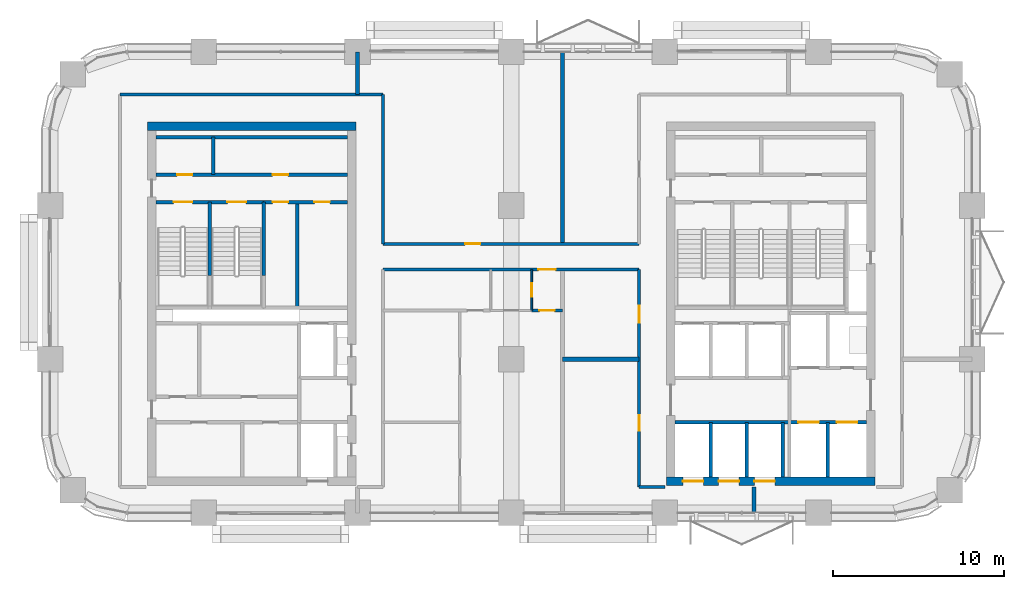
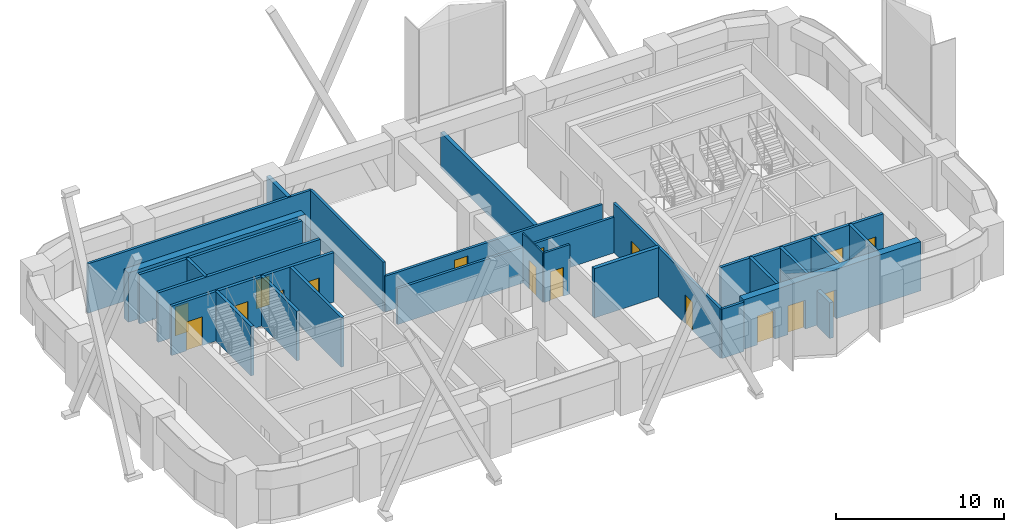
# One storey, part 10 of 14: 27 walls, 17 doors, 17 openings.
"""IFC4 building model written with IfcOpenShell, lengths in metres."""

from ifc_helpers import new_model, si_unit, direction, frame, frame_2d, origin, place, context, subcontext, project, spatial, rectangle, extrude, material, layer, layer_set, type_object, element, fill, save


model = new_model("IFC4")

# Units and contexts
model_context = context("Model", 3, precision=1e-05, world=origin(), true_north=direction((0.0, 1.0)))
body_context = subcontext(model_context, "Body", "Model", "MODEL_VIEW")
ifc_project = project(units=[si_unit("LENGTHUNIT", "METRE"), si_unit("AREAUNIT", "SQUARE_METRE"), si_unit("VOLUMEUNIT", "CUBIC_METRE"), si_unit("PLANEANGLEUNIT", "RADIAN"), si_unit("MASSUNIT", "GRAM", prefix="KILO")], contexts=[model_context])

# Site, building, storey
site_placement = place(None, origin())
site = spatial("IfcSite", under=ifc_project, at=site_placement, CompositionType="ELEMENT")
building_placement = place(site_placement, origin())
building = spatial("IfcBuilding", under=site, at=building_placement, Name="Tessera Arch", CompositionType="ELEMENT")
storey_placement = place(building_placement, frame((0.0, 0.0, 150.5)))
storey = spatial("IfcBuildingStorey", under=building, at=storey_placement, Name="L35", CompositionType="ELEMENT", Elevation=150.5)

# Walls
ifc_material_1 = material(Name="Gypsum board on steel stud", Category="steel")
ifc_layer_1 = layer(ifc_material_1, 0.125)
ifc_layer_set_1 = layer_set([ifc_layer_1], Name="Core partition 125 EI 60")
wall_type_1 = type_object("IfcWallType", Name="Core partition 125 EI 60", PredefinedType="PARTITIONING", material=ifc_layer_set_1)
wall_1_placement = place(storey_placement, frame((9.56005859375, 46.800048828125, 0.0), z_axis=(0.0, 0.0, 1.0), x_axis=(0.0, 1.0, 0.0)))
element("IfcWall", 1, at=wall_1_placement, inside=storey, type_object=wall_type_1, Name="L35 C2 partition wall 4", PredefinedType="PARTITIONING", context=body_context, shape_type="SweptSolid", body=[
    extrude(rectangle(XDim=2.199951171875, YDim=0.199951171875, at=frame_2d((1.10009765625, 0.0))), origin(), (0.0, 0.0, 1.0), 3.60009765625),
])
wall_2_placement = place(storey_placement, frame((14.4599609375, 39.0, 0.0), z_axis=(0.0, 0.0, 1.0), x_axis=(0.0, 1.0, 0.0)))
element("IfcWall", 2, at=wall_2_placement, inside=storey, type_object=wall_type_1, Name="L35 C2 partition wall 8", PredefinedType="PARTITIONING", context=body_context, shape_type="SweptSolid", body=[
    extrude(rectangle(XDim=6.199951171875, YDim=0.199951171875, at=frame_2d((3.10009765625, 0.0))), origin(), (0.0, 0.0, 1.0), 3.60009765625),
])

# Wall, openings, doors
wall_3_placement = place(storey_placement, frame((12.5, 45.199951171875, 0.0), z_axis=(0.0, 0.0, 1.0), x_axis=(1.0, 0.0, 0.0)))
wall_3 = element("IfcWall", 3, at=wall_3_placement, inside=storey, type_object=wall_type_1, Name="L35 C2 partition wall 23", PredefinedType="PARTITIONING", context=body_context, shape_type="SweptSolid", body=[
    extrude(rectangle(XDim=4.89990234375, YDim=0.199951171875, at=frame_2d((2.449951171875, 0.0))), origin(), (0.0, 0.0, 1.0), 3.60009765625),
])
opening_1_placement = place(wall_3_placement, frame((0.530029296875, 0.0, 0.0)))
opening_1 = element("IfcOpeningElement", 4, at=opening_1_placement, cuts=wall_3, Name="Opening L35-C31", PredefinedType="OPENING", context=body_context, shape_type="SweptSolid", body=[
    extrude(rectangle(XDim=0.89990234375, YDim=2.10009765625, at=frame_2d((0.449951171875, 1.050048828125))), frame((0.0, 0.10986328125, 0.0), z_axis=(0.0, -1.0, 0.0), x_axis=(1.0, 0.0, 0.0)), (0.0, 0.0, 1.0), 0.219970703125),
])
opening_2_placement = place(wall_3_placement, frame((2.97998046875, 0.0, 0.0)))
opening_2 = element("IfcOpeningElement", 5, at=opening_2_placement, cuts=wall_3, Name="Opening L35-C32", PredefinedType="OPENING", context=body_context, shape_type="SweptSolid", body=[
    extrude(rectangle(XDim=0.89990234375, YDim=2.10009765625, at=frame_2d((0.449951171875, 1.050048828125))), frame((0.0, 0.10986328125, 0.0), z_axis=(0.0, -1.0, 0.0), x_axis=(1.0, 0.0, 0.0)), (0.0, 0.0, 1.0), 0.219970703125),
])
ifc_material_2 = material(Name="Steel door leaf", Category="steel")
door_type_1 = type_object("IfcDoorType", Name="Store door FD30S 900 x 2100", OperationType="SINGLE_SWING_LEFT", PredefinedType="DOOR", material=ifc_material_2)
door_1_placement = place(opening_1_placement, origin())
door_1 = element("IfcDoor", 6, at=door_1_placement, inside=storey, type_object=door_type_1, Name="L35 C2 door 12 C31 type D09", OperationType="SINGLE_SWING_LEFT", OverallHeight=2.10009765625, OverallWidth=0.89990234375, PredefinedType="DOOR", context=body_context, shape_type="SweptSolid", body=[
    extrude(rectangle(XDim=0.89990234375, YDim=2.10009765625, at=frame_2d((0.449951171875, 1.050048828125))), frame((0.0, 0.02490234375, 0.0), z_axis=(0.0, -1.0, 0.0), x_axis=(1.0, 0.0, 0.0)), (0.0, 0.0, 1.0), 0.050048828125),
])
fill(opening_1, door_1)
door_2_placement = place(opening_2_placement, origin())
door_2 = element("IfcDoor", 7, at=door_2_placement, inside=storey, type_object=door_type_1, Name="L35 C2 door 13 C32 type D09", OperationType="SINGLE_SWING_RIGHT", OverallHeight=2.10009765625, OverallWidth=0.89990234375, PredefinedType="DOOR", context=body_context, shape_type="SweptSolid", body=[
    extrude(rectangle(XDim=0.89990234375, YDim=2.10009765625, at=frame_2d((0.449951171875, 1.050048828125))), frame((0.0, 0.02490234375, 0.0), z_axis=(0.0, -1.0, 0.0), x_axis=(1.0, 0.0, 0.0)), (0.0, 0.0, 1.0), 0.050048828125),
])
fill(opening_2, door_2)

wall_4_placement = place(storey_placement, frame((6.199951171875, 46.800048828125, 0.0), z_axis=(0.0, 0.0, 1.0), x_axis=(1.0, 0.0, 0.0)))
wall_4 = element("IfcWall", 8, at=wall_4_placement, inside=storey, type_object=wall_type_1, Name="L35 C2 partition wall 25", PredefinedType="PARTITIONING", context=body_context, shape_type="SweptSolid", body=[
    extrude(rectangle(XDim=11.199951171875, YDim=0.199951171875, at=frame_2d((5.60009765625, 0.0))), origin(), (0.0, 0.0, 1.0), 3.60009765625),
])
opening_3_placement = place(wall_4_placement, frame((1.22998046875, 0.0, 0.0)))
opening_3 = element("IfcOpeningElement", 9, at=opening_3_placement, cuts=wall_4, Name="Opening L35-C29", PredefinedType="OPENING", context=body_context, shape_type="SweptSolid", body=[
    extrude(rectangle(XDim=0.89990234375, YDim=2.10009765625, at=frame_2d((0.449951171875, 1.050048828125))), frame((0.0, 0.10986328125, 0.0), z_axis=(0.0, -1.0, 0.0), x_axis=(1.0, 0.0, 0.0)), (0.0, 0.0, 1.0), 0.219970703125),
])
opening_4_placement = place(wall_4_placement, frame((6.830078125, 0.0, 0.0)))
opening_4 = element("IfcOpeningElement", 10, at=opening_4_placement, cuts=wall_4, Name="Opening L35-C30", PredefinedType="OPENING", context=body_context, shape_type="SweptSolid", body=[
    extrude(rectangle(XDim=0.89990234375, YDim=2.10009765625, at=frame_2d((0.449951171875, 1.050048828125))), frame((0.0, 0.10986328125, 0.0), z_axis=(0.0, -1.0, 0.0), x_axis=(1.0, 0.0, 0.0)), (0.0, 0.0, 1.0), 0.219970703125),
])
door_3_placement = place(opening_3_placement, origin())
door_3 = element("IfcDoor", 11, at=door_3_placement, inside=storey, type_object=door_type_1, Name="L35 C2 door 10 C29 type D09", OperationType="SINGLE_SWING_LEFT", OverallHeight=2.10009765625, OverallWidth=0.89990234375, PredefinedType="DOOR", context=body_context, shape_type="SweptSolid", body=[
    extrude(rectangle(XDim=0.89990234375, YDim=2.10009765625, at=frame_2d((0.449951171875, 1.050048828125))), frame((0.0, 0.02490234375, 0.0), z_axis=(0.0, -1.0, 0.0), x_axis=(1.0, 0.0, 0.0)), (0.0, 0.0, 1.0), 0.050048828125),
])
fill(opening_3, door_3)
door_4_placement = place(opening_4_placement, origin())
door_4 = element("IfcDoor", 12, at=door_4_placement, inside=storey, type_object=door_type_1, Name="L35 C2 door 11 C30 type D09", OperationType="SINGLE_SWING_RIGHT", OverallHeight=2.10009765625, OverallWidth=0.89990234375, PredefinedType="DOOR", context=body_context, shape_type="SweptSolid", body=[
    extrude(rectangle(XDim=0.89990234375, YDim=2.10009765625, at=frame_2d((0.449951171875, 1.050048828125))), frame((0.0, 0.02490234375, 0.0), z_axis=(0.0, -1.0, 0.0), x_axis=(1.0, 0.0, 0.0)), (0.0, 0.0, 1.0), 0.050048828125),
])
fill(opening_4, door_4)

# Wall
wall_5_placement = place(storey_placement, frame((6.199951171875, 49.0, 0.0), z_axis=(0.0, 0.0, 1.0), x_axis=(1.0, 0.0, 0.0)))
element("IfcWall", 13, at=wall_5_placement, inside=storey, type_object=wall_type_1, Name="L35 C2 partition wall 26", PredefinedType="PARTITIONING", context=body_context, shape_type="SweptSolid", body=[
    extrude(rectangle(XDim=11.199951171875, YDim=0.199951171875, at=frame_2d((5.60009765625, 0.0))), origin(), (0.0, 0.0, 1.0), 3.60009765625),
])

# Wall, openings, doors
ifc_material_3 = material(Name="Concrete C60/75", Category="concrete")
ifc_layer_2 = layer(ifc_material_3, 0.5)
ifc_layer_set_2 = layer_set([ifc_layer_2], Name="Core shell wall 500 C60-75")
wall_type_2 = type_object("IfcWallType", Name="Core shell wall 500 C60-75", PredefinedType="SHEAR", material=ifc_layer_set_2)
wall_6_placement = place(storey_placement, frame((36.10009765625, 28.85009765625, 0.0), z_axis=(0.0, 0.0, 1.0), x_axis=(1.0, 0.0, 0.0)))
wall_6 = element("IfcWall", 14, at=wall_6_placement, inside=storey, type_object=wall_type_2, Name="L35 C1 core wall S", PredefinedType="SHEAR", context=body_context, shape_type="SweptSolid", body=[
    extrude(rectangle(XDim=12.199951171875, YDim=0.5, at=frame_2d((6.10009765625, 0.0))), origin(), (0.0, 0.0, 1.0), 3.60009765625),
])
opening_5_placement = place(wall_6_placement, frame((0.949951171875, 0.0, 0.0)))
opening_5 = element("IfcOpeningElement", 15, at=opening_5_placement, cuts=wall_6, Name="Opening L35-C01", PredefinedType="OPENING", context=body_context, shape_type="SweptSolid", body=[
    extrude(rectangle(XDim=1.199951171875, YDim=2.10009765625, at=frame_2d((0.60009765625, 1.050048828125))), frame((0.0, 0.260009765625, 0.0), z_axis=(0.0, -1.0, 0.0), x_axis=(1.0, 0.0, 0.0)), (0.0, 0.0, 1.0), 0.52001953125),
])
opening_6_placement = place(wall_6_placement, frame((3.050048828125, 0.0, 0.0)))
opening_6 = element("IfcOpeningElement", 16, at=opening_6_placement, cuts=wall_6, Name="Opening L35-C03", PredefinedType="OPENING", context=body_context, shape_type="SweptSolid", body=[
    extrude(rectangle(XDim=1.199951171875, YDim=2.10009765625, at=frame_2d((0.60009765625, 1.050048828125))), frame((0.0, 0.260009765625, 0.0), z_axis=(0.0, -1.0, 0.0), x_axis=(1.0, 0.0, 0.0)), (0.0, 0.0, 1.0), 0.52001953125),
])
opening_7_placement = place(wall_6_placement, frame((5.14990234375, 0.0, 0.0)))
opening_7 = element("IfcOpeningElement", 17, at=opening_7_placement, cuts=wall_6, Name="Opening L35-C05", PredefinedType="OPENING", context=body_context, shape_type="SweptSolid", body=[
    extrude(rectangle(XDim=1.199951171875, YDim=2.10009765625, at=frame_2d((0.60009765625, 1.050048828125))), frame((0.0, 0.260009765625, 0.0), z_axis=(0.0, -1.0, 0.0), x_axis=(1.0, 0.0, 0.0)), (0.0, 0.0, 1.0), 0.52001953125),
])
ifc_material_4 = material(Name="Stainless steel AISI 304", Category="steel")
door_type_2 = type_object("IfcDoorType", Name="Sliding landing door 1200 x 2100", OperationType="SLIDING_TO_LEFT", PredefinedType="DOOR", material=ifc_material_4)
door_5_placement = place(opening_5_placement, origin())
door_5 = element("IfcDoor", 18, at=door_5_placement, inside=storey, type_object=door_type_2, Name="L35 HR1 lift landing door C01 type LD", OperationType="SLIDING_TO_LEFT", OverallHeight=2.10009765625, OverallWidth=1.199951171875, PredefinedType="DOOR", context=body_context, shape_type="SweptSolid", body=[
    extrude(rectangle(XDim=1.199951171875, YDim=2.10009765625, at=frame_2d((0.60009765625, 1.050048828125))), frame((0.0, 0.02490234375, 0.0), z_axis=(0.0, -1.0, 0.0), x_axis=(1.0, 0.0, 0.0)), (0.0, 0.0, 1.0), 0.050048828125),
])
fill(opening_5, door_5)
door_6_placement = place(opening_6_placement, origin())
door_6 = element("IfcDoor", 19, at=door_6_placement, inside=storey, type_object=door_type_2, Name="L35 HR2 lift landing door C03 type LD", OperationType="SLIDING_TO_LEFT", OverallHeight=2.10009765625, OverallWidth=1.199951171875, PredefinedType="DOOR", context=body_context, shape_type="SweptSolid", body=[
    extrude(rectangle(XDim=1.199951171875, YDim=2.10009765625, at=frame_2d((0.60009765625, 1.050048828125))), frame((0.0, 0.02490234375, 0.0), z_axis=(0.0, -1.0, 0.0), x_axis=(1.0, 0.0, 0.0)), (0.0, 0.0, 1.0), 0.050048828125),
])
fill(opening_6, door_6)
door_7_placement = place(opening_7_placement, origin())
door_7 = element("IfcDoor", 20, at=door_7_placement, inside=storey, type_object=door_type_2, Name="L35 HR3 lift landing door C05 type LD", OperationType="SLIDING_TO_LEFT", OverallHeight=2.10009765625, OverallWidth=1.199951171875, PredefinedType="DOOR", context=body_context, shape_type="SweptSolid", body=[
    extrude(rectangle(XDim=1.199951171875, YDim=2.10009765625, at=frame_2d((0.60009765625, 1.050048828125))), frame((0.0, 0.02490234375, 0.0), z_axis=(0.0, -1.0, 0.0), x_axis=(1.0, 0.0, 0.0)), (0.0, 0.0, 1.0), 0.050048828125),
])
fill(opening_7, door_7)

# Walls
wall_7_placement = place(storey_placement, frame((5.699951171875, 49.64990234375, 0.0), z_axis=(0.0, 0.0, 1.0), x_axis=(1.0, 0.0, 0.0)))
element("IfcWall", 21, at=wall_7_placement, inside=storey, type_object=wall_type_2, Name="L35 C2 core wall N", PredefinedType="SHEAR", context=body_context, shape_type="SweptSolid", body=[
    extrude(rectangle(XDim=12.199951171875, YDim=0.5, at=frame_2d((6.10009765625, 0.0))), origin(), (0.0, 0.0, 1.0), 3.60009765625),
])
ifc_material_5 = material(Name="Gypsum board on deep steel stud with mineral wool", Category="steel")
ifc_layer_3 = layer(ifc_material_5, 0.175048828125)
ifc_layer_set_3 = layer_set([ifc_layer_3], Name="Corridor wall 175 EI 60")
wall_type_3 = type_object("IfcWallType", Name="Corridor wall 175 EI 60", PredefinedType="PARTITIONING", material=ifc_layer_set_3)
wall_8_placement = place(storey_placement, frame((34.5, 28.5, 0.0), z_axis=(0.0, 0.0, 1.0), x_axis=(1.0, 0.0, 0.0)))
element("IfcWall", 22, at=wall_8_placement, inside=storey, type_object=wall_type_3, Name="L35 partition 3", PredefinedType="PARTITIONING", context=body_context, shape_type="SweptSolid", body=[
    extrude(rectangle(XDim=1.5, YDim=0.175048828125, at=frame_2d((0.75, 0.0))), origin(), (0.0, 0.0, 1.0), 3.60009765625),
])

# Wall, opening, door
wall_9_placement = place(storey_placement, frame((19.5, 41.25, 0.0), z_axis=(0.0, 0.0, 1.0), x_axis=(1.0, 0.0, 0.0)))
wall_9 = element("IfcWall", 23, at=wall_9_placement, inside=storey, type_object=wall_type_3, Name="L35 partition 5", PredefinedType="PARTITIONING", context=body_context, shape_type="SweptSolid", body=[
    extrude(rectangle(XDim=15.0, YDim=0.175048828125, at=frame_2d((7.5, 0.0))), origin(), (0.0, 0.0, 1.0), 2.60009765625),
])
opening_8_placement = place(wall_9_placement, frame((9.10009765625, 0.0, 0.0)))
opening_8 = element("IfcOpeningElement", 24, at=opening_8_placement, cuts=wall_9, Name="Opening L35-D003", PredefinedType="OPENING", context=body_context, shape_type="SweptSolid", body=[
    extrude(rectangle(XDim=1.0, YDim=2.10009765625, at=frame_2d((0.5, 1.050048828125))), frame((0.0, 0.097412109375, 0.0), z_axis=(0.0, -1.0, 0.0), x_axis=(1.0, 0.0, 0.0)), (0.0, 0.0, 1.0), 0.195068359375),
])
ifc_material_6 = material(Name="Fire-rated door leaf")
door_type_3 = type_object("IfcDoorType", Name="Entrance door FD30S 1000 x 2100", OperationType="SINGLE_SWING_LEFT", PredefinedType="DOOR", material=ifc_material_6)
door_8_placement = place(opening_8_placement, origin())
door_8 = element("IfcDoor", 25, at=door_8_placement, inside=storey, type_object=door_type_3, Name="L35 door D003 type D03", OperationType="SINGLE_SWING_RIGHT", OverallHeight=2.10009765625, OverallWidth=1.0, PredefinedType="DOOR", context=body_context, shape_type="SweptSolid", body=[
    extrude(rectangle(XDim=1.0, YDim=2.10009765625, at=frame_2d((0.5, 1.050048828125))), frame((0.0, 0.02490234375, 0.0), z_axis=(0.0, -1.0, 0.0), x_axis=(1.0, 0.0, 0.0)), (0.0, 0.0, 1.0), 0.050048828125),
])
fill(opening_8, door_8)

wall_10_placement = place(storey_placement, frame((19.5, 42.75, 0.0), z_axis=(0.0, 0.0, 1.0), x_axis=(1.0, 0.0, 0.0)))
wall_10 = element("IfcWall", 26, at=wall_10_placement, inside=storey, type_object=wall_type_3, Name="L35 partition 6", PredefinedType="PARTITIONING", context=body_context, shape_type="SweptSolid", body=[
    extrude(rectangle(XDim=15.0, YDim=0.175048828125, at=frame_2d((7.5, 0.0))), origin(), (0.0, 0.0, 1.0), 2.60009765625),
])
opening_9_placement = place(wall_10_placement, frame((4.800048828125, 0.0, 0.0)))
opening_9 = element("IfcOpeningElement", 27, at=opening_9_placement, cuts=wall_10, Name="Opening L35-D013", PredefinedType="OPENING", context=body_context, shape_type="SweptSolid", body=[
    extrude(rectangle(XDim=0.89990234375, YDim=2.10009765625, at=frame_2d((0.449951171875, 1.050048828125))), frame((0.0, 0.097412109375, 0.0), z_axis=(0.0, -1.0, 0.0), x_axis=(1.0, 0.0, 0.0)), (0.0, 0.0, 1.0), 0.195068359375),
])
ifc_material_7 = material(Name="Timber door leaf", Category="wood")
door_type_4 = type_object("IfcDoorType", Name="Room door 900 x 2100", OperationType="SINGLE_SWING_LEFT", PredefinedType="DOOR", material=ifc_material_7)
door_9_placement = place(opening_9_placement, origin())
door_9 = element("IfcDoor", 28, at=door_9_placement, inside=storey, type_object=door_type_4, Name="L35 door D013 type D01", OperationType="SINGLE_SWING_LEFT", OverallHeight=2.10009765625, OverallWidth=0.89990234375, PredefinedType="DOOR", context=body_context, shape_type="SweptSolid", body=[
    extrude(rectangle(XDim=0.89990234375, YDim=2.10009765625, at=frame_2d((0.449951171875, 1.050048828125))), frame((0.0, 0.02490234375, 0.0), z_axis=(0.0, -1.0, 0.0), x_axis=(1.0, 0.0, 0.0)), (0.0, 0.0, 1.0), 0.050048828125),
])
fill(opening_9, door_9)

# Walls
wall_11_placement = place(storey_placement, frame((4.10009765625, 51.5, 0.0), z_axis=(0.0, 0.0, 1.0), x_axis=(1.0, 0.0, 0.0)))
element("IfcWall", 29, at=wall_11_placement, inside=storey, type_object=wall_type_3, Name="L35 partition 7", PredefinedType="PARTITIONING", context=body_context, shape_type="SweptSolid", body=[
    extrude(rectangle(XDim=15.39990234375, YDim=0.175048828125, at=frame_2d((7.699951171875, 0.0))), origin(), (0.0, 0.0, 1.0), 3.60009765625),
])
wall_12_placement = place(storey_placement, frame((19.5, 42.75, 0.0), z_axis=(0.0, 0.0, 1.0), x_axis=(0.0, 1.0, 0.0)))
element("IfcWall", 30, at=wall_12_placement, inside=storey, type_object=wall_type_3, Name="L35 partition 11", PredefinedType="PARTITIONING", context=body_context, shape_type="SweptSolid", body=[
    extrude(rectangle(XDim=8.75, YDim=0.175048828125, at=frame_2d((4.375, 0.0))), origin(), (0.0, 0.0, 1.0), 3.60009765625),
])

# Wall, openings, doors
wall_13_placement = place(storey_placement, frame((34.5, 28.5, 0.0), z_axis=(0.0, 0.0, 1.0), x_axis=(0.0, 1.0, 0.0)))
wall_13 = element("IfcWall", 31, at=wall_13_placement, inside=storey, type_object=wall_type_3, Name="L35 partition 12", PredefinedType="PARTITIONING", context=body_context, shape_type="SweptSolid", body=[
    extrude(rectangle(XDim=12.75, YDim=0.175048828125, at=frame_2d((6.375, 0.0))), origin(), (0.0, 0.0, 1.0), 3.60009765625),
])
opening_10_placement = place(wall_13_placement, frame((3.300048828125, 0.0, 0.0)))
opening_10 = element("IfcOpeningElement", 32, at=opening_10_placement, cuts=wall_13, Name="Opening L35-D001", PredefinedType="OPENING", context=body_context, shape_type="SweptSolid", body=[
    extrude(rectangle(XDim=0.89990234375, YDim=2.10009765625, at=frame_2d((0.449951171875, 1.050048828125))), frame((0.0, 0.097412109375, 0.0), z_axis=(0.0, -1.0, 0.0), x_axis=(1.0, 0.0, 0.0)), (0.0, 0.0, 1.0), 0.195068359375),
])
opening_11_placement = place(wall_13_placement, frame((9.625, 0.0, 0.0)))
opening_11 = element("IfcOpeningElement", 33, at=opening_11_placement, cuts=wall_13, Name="Opening L35-D010", PredefinedType="OPENING", context=body_context, shape_type="SweptSolid", body=[
    extrude(rectangle(XDim=1.0, YDim=2.10009765625, at=frame_2d((0.5, 1.050048828125))), frame((0.0, 0.097412109375, 0.0), z_axis=(0.0, -1.0, 0.0), x_axis=(1.0, 0.0, 0.0)), (0.0, 0.0, 1.0), 0.195068359375),
])
door_10_placement = place(opening_11_placement, origin())
door_10 = element("IfcDoor", 34, at=door_10_placement, inside=storey, type_object=door_type_3, Name="L35 door D010 type D03", OperationType="SINGLE_SWING_RIGHT", OverallHeight=2.10009765625, OverallWidth=1.0, PredefinedType="DOOR", context=body_context, shape_type="SweptSolid", body=[
    extrude(rectangle(XDim=1.0, YDim=2.10009765625, at=frame_2d((0.5, 1.050048828125))), frame((0.0, 0.02490234375, 0.0), z_axis=(0.0, -1.0, 0.0), x_axis=(1.0, 0.0, 0.0)), (0.0, 0.0, 1.0), 0.050048828125),
])
fill(opening_11, door_10)
door_11_placement = place(opening_10_placement, origin())
door_11 = element("IfcDoor", 35, at=door_11_placement, inside=storey, type_object=door_type_4, Name="L35 door D001 type D01", OperationType="SINGLE_SWING_LEFT", OverallHeight=2.10009765625, OverallWidth=0.89990234375, PredefinedType="DOOR", context=body_context, shape_type="SweptSolid", body=[
    extrude(rectangle(XDim=0.89990234375, YDim=2.10009765625, at=frame_2d((0.449951171875, 1.050048828125))), frame((0.0, 0.02490234375, 0.0), z_axis=(0.0, -1.0, 0.0), x_axis=(1.0, 0.0, 0.0)), (0.0, 0.0, 1.0), 0.050048828125),
])
fill(opening_10, door_11)

# Wall, opening, door
ifc_material_8 = material(Name="Gypsum board on steel stud", Category="steel")
ifc_layer_4 = layer(ifc_material_8, 0.14990234375)
ifc_layer_set_4 = layer_set([ifc_layer_4], Name="Partition 150")
wall_type_4 = type_object("IfcWallType", Name="Partition 150", PredefinedType="PARTITIONING", material=ifc_layer_set_4)
wall_14_placement = place(storey_placement, frame((28.199951171875, 38.85009765625, 0.0), z_axis=(0.0, 0.0, 1.0), x_axis=(1.0, 0.0, 0.0)))
wall_14 = element("IfcWall", 36, at=wall_14_placement, inside=storey, type_object=wall_type_4, Name="L35 partition 17", PredefinedType="PARTITIONING", context=body_context, shape_type="SweptSolid", body=[
    extrude(rectangle(XDim=1.800048828125, YDim=0.14990234375, at=frame_2d((0.89990234375, 0.0))), origin(), (0.0, 0.0, 1.0), 3.60009765625),
])
opening_12_placement = place(wall_14_placement, frame((0.449951171875, 0.0, 0.0)))
opening_12 = element("IfcOpeningElement", 37, at=opening_12_placement, cuts=wall_14, Name="Opening L35-D004", PredefinedType="OPENING", context=body_context, shape_type="SweptSolid", body=[
    extrude(rectangle(XDim=0.89990234375, YDim=2.10009765625, at=frame_2d((0.449951171875, 1.050048828125))), frame((0.0, 0.0849609375, 0.0), z_axis=(0.0, -1.0, 0.0), x_axis=(1.0, 0.0, 0.0)), (0.0, 0.0, 1.0), 0.169921875),
])
door_12_placement = place(opening_12_placement, origin())
door_12 = element("IfcDoor", 38, at=door_12_placement, inside=storey, type_object=door_type_4, Name="L35 door D004 type D01", OperationType="SINGLE_SWING_LEFT", OverallHeight=2.10009765625, OverallWidth=0.89990234375, PredefinedType="DOOR", context=body_context, shape_type="SweptSolid", body=[
    extrude(rectangle(XDim=0.89990234375, YDim=2.10009765625, at=frame_2d((0.449951171875, 1.050048828125))), frame((0.0, 0.02490234375, 0.0), z_axis=(0.0, -1.0, 0.0), x_axis=(1.0, 0.0, 0.0)), (0.0, 0.0, 1.0), 0.050048828125),
])
fill(opening_12, door_12)

# Walls
ifc_material_9 = material(Name="Double gypsum board on twin steel stud with acoustic mineral wool", Category="steel")
ifc_layer_5 = layer(ifc_material_9, 0.25)
ifc_layer_set_5 = layer_set([ifc_layer_5], Name="Party wall 250 EI 60")
wall_type_5 = type_object("IfcWallType", Name="Party wall 250 EI 60", PredefinedType="PARTITIONING", material=ifc_layer_set_5)
wall_15_placement = place(storey_placement, frame((30.0, 36.0, 0.0), z_axis=(0.0, 0.0, 1.0), x_axis=(1.0, 0.0, 0.0)))
element("IfcWall", 39, at=wall_15_placement, inside=storey, type_object=wall_type_5, Name="L35 partition 19", PredefinedType="PARTITIONING", context=body_context, shape_type="SweptSolid", body=[
    extrude(rectangle(XDim=4.5, YDim=0.25, at=frame_2d((2.25, 0.0))), origin(), (0.0, 0.0, 1.0), 3.60009765625),
])
wall_16_placement = place(storey_placement, frame((18.0, 51.5, 0.0), z_axis=(0.0, 0.0, 1.0), x_axis=(0.0, 1.0, 0.0)))
element("IfcWall", 40, at=wall_16_placement, inside=storey, type_object=wall_type_5, Name="L35 partition 22", PredefinedType="PARTITIONING", context=body_context, shape_type="SweptSolid", body=[
    extrude(rectangle(XDim=2.5, YDim=0.25, at=frame_2d((1.25, 0.0))), origin(), (0.0, 0.0, 1.0), 3.60009765625),
])
wall_17_placement = place(storey_placement, frame((30.0, 42.75, 0.0), z_axis=(0.0, 0.0, 1.0), x_axis=(0.0, 1.0, 0.0)))
element("IfcWall", 41, at=wall_17_placement, inside=storey, type_object=wall_type_5, Name="L35 partition 24", PredefinedType="PARTITIONING", context=body_context, shape_type="SweptSolid", body=[
    extrude(rectangle(XDim=11.25, YDim=0.25, at=frame_2d((5.625, 0.0))), origin(), (0.0, 0.0, 1.0), 2.60009765625),
])
wall_18_placement = place(storey_placement, frame((41.216064453125, 27.0, 0.0), z_axis=(0.0, 0.0, 1.0), x_axis=(0.0, 1.0, 0.0)))
element("IfcWall", 42, at=wall_18_placement, inside=storey, type_object=wall_type_5, Name="L35 partition 25", PredefinedType="PARTITIONING", context=body_context, shape_type="SweptSolid", body=[
    extrude(rectangle(XDim=1.5, YDim=0.25, at=frame_2d((0.75, 0.0))), origin(), (0.0, 0.0, 1.0), 2.60009765625),
])
ifc_material_10 = material(Name="Concrete C40/50", Category="concrete")
ifc_layer_6 = layer(ifc_material_10, 0.199951171875)
ifc_layer_set_6 = layer_set([ifc_layer_6], Name="Shaft wall 200 EI 120")
wall_type_6 = type_object("IfcWallType", Name="Shaft wall 200 EI 120", PredefinedType="SOLIDWALL", material=ifc_layer_set_6)
for number, where, z_axis, x_axis, name in (
    (43, (38.699951171875, 29.10009765625, 0.0), (0.0, 0.0, 1.0), (0.0, 1.0, 0.0), "L35 C1 shaft wall 1"),
    (44, (40.800048828125, 29.10009765625, 0.0), (0.0, 0.0, 1.0), (0.0, 1.0, 0.0), "L35 C1 shaft wall 5"),
    (45, (42.89990234375, 29.10009765625, 0.0), (0.0, 0.0, 1.0), (0.0, 1.0, 0.0), "L35 C1 shaft wall 8"),
    (46, (45.550048828125, 29.10009765625, 0.0), (0.0, 0.0, 1.0), (0.0, 1.0, 0.0), "L35 C1 shaft wall 13"),
):
    element("IfcWall", number, at=place(storey_placement, frame(where, z_axis=z_axis, x_axis=x_axis)), inside=storey, type_object=wall_type_6, Name=name, PredefinedType="SOLIDWALL", context=body_context, shape_type="SweptSolid", body=[
        extrude(rectangle(XDim=3.199951171875, YDim=0.199951171875, at=frame_2d((1.60009765625, 0.0))), origin(), (0.0, 0.0, 1.0), 3.60009765625),
    ])

# Wall, openings, doors
wall_19_placement = place(storey_placement, frame((36.60009765625, 32.300048828125, 0.0), z_axis=(0.0, 0.0, 1.0), x_axis=(1.0, 0.0, 0.0)))
wall_19 = element("IfcWall", 47, at=wall_19_placement, inside=storey, type_object=wall_type_6, Name="L35 C1 shaft wall 18", PredefinedType="SOLIDWALL", context=body_context, shape_type="SweptSolid", body=[
    extrude(rectangle(XDim=11.199951171875, YDim=0.199951171875, at=frame_2d((5.60009765625, 0.0))), origin(), (0.0, 0.0, 1.0), 3.60009765625),
])
opening_13_placement = place(wall_19_placement, frame((7.22509765625, 0.0, 0.0)))
opening_13 = element("IfcOpeningElement", 48, at=opening_13_placement, cuts=wall_19, Name="Opening L35-C07", PredefinedType="OPENING", context=body_context, shape_type="SweptSolid", body=[
    extrude(rectangle(XDim=1.199951171875, YDim=2.10009765625, at=frame_2d((0.60009765625, 1.050048828125))), frame((0.0, 0.10986328125, 0.0), z_axis=(0.0, -1.0, 0.0), x_axis=(1.0, 0.0, 0.0)), (0.0, 0.0, 1.0), 0.219970703125),
])
opening_14_placement = place(wall_19_placement, frame((9.47509765625, 0.0, 0.0)))
opening_14 = element("IfcOpeningElement", 49, at=opening_14_placement, cuts=wall_19, Name="Opening L35-C08", PredefinedType="OPENING", context=body_context, shape_type="SweptSolid", body=[
    extrude(rectangle(XDim=1.199951171875, YDim=2.10009765625, at=frame_2d((0.60009765625, 1.050048828125))), frame((0.0, 0.10986328125, 0.0), z_axis=(0.0, -1.0, 0.0), x_axis=(1.0, 0.0, 0.0)), (0.0, 0.0, 1.0), 0.219970703125),
])
door_13_placement = place(opening_13_placement, origin())
door_13 = element("IfcDoor", 50, at=door_13_placement, inside=storey, type_object=door_type_2, Name="L35 FF1 lift landing door C07 type LD", OperationType="SLIDING_TO_LEFT", OverallHeight=2.10009765625, OverallWidth=1.199951171875, PredefinedType="DOOR", context=body_context, shape_type="SweptSolid", body=[
    extrude(rectangle(XDim=1.199951171875, YDim=2.10009765625, at=frame_2d((0.60009765625, 1.050048828125))), frame((0.0, 0.02490234375, 0.0), z_axis=(0.0, -1.0, 0.0), x_axis=(1.0, 0.0, 0.0)), (0.0, 0.0, 1.0), 0.050048828125),
])
fill(opening_13, door_13)
door_14_placement = place(opening_14_placement, origin())
door_14 = element("IfcDoor", 51, at=door_14_placement, inside=storey, type_object=door_type_2, Name="L35 FF2 lift landing door C08 type LD", OperationType="SLIDING_TO_LEFT", OverallHeight=2.10009765625, OverallWidth=1.199951171875, PredefinedType="DOOR", context=body_context, shape_type="SweptSolid", body=[
    extrude(rectangle(XDim=1.199951171875, YDim=2.10009765625, at=frame_2d((0.60009765625, 1.050048828125))), frame((0.0, 0.02490234375, 0.0), z_axis=(0.0, -1.0, 0.0), x_axis=(1.0, 0.0, 0.0)), (0.0, 0.0, 1.0), 0.050048828125),
])
fill(opening_14, door_14)

# Walls
ifc_material_11 = material(Name="Concrete C40/50", Category="concrete")
ifc_layer_7 = layer(ifc_material_11, 0.199951171875)
ifc_layer_set_7 = layer_set([ifc_layer_7], Name="Stair well wall 200 REI 180")
wall_type_7 = type_object("IfcWallType", Name="Stair well wall 200 REI 180", PredefinedType="SOLIDWALL", material=ifc_layer_set_7)
for number, where, z_axis, x_axis, name in (
    (52, (9.35009765625, 40.89990234375, 0.0), (0.0, 0.0, 1.0), (0.0, 1.0, 0.0), "L35 C2 shaft wall 3"),
    (53, (12.5, 40.89990234375, 0.0), (0.0, 0.0, 1.0), (0.0, 1.0, 0.0), "L35 C2 shaft wall 7"),
):
    element("IfcWall", number, at=place(storey_placement, frame(where, z_axis=z_axis, x_axis=x_axis)), inside=storey, type_object=wall_type_7, Name=name, PredefinedType="SOLIDWALL", context=body_context, shape_type="SweptSolid", body=[
        extrude(rectangle(XDim=4.300048828125, YDim=0.199951171875, at=frame_2d((2.14990234375, 0.0))), origin(), (0.0, 0.0, 1.0), 3.60009765625),
    ])

# Wall, openings, doors
wall_20_placement = place(storey_placement, frame((6.199951171875, 45.199951171875, 0.0), z_axis=(0.0, 0.0, 1.0), x_axis=(1.0, 0.0, 0.0)))
wall_20 = element("IfcWall", 54, at=wall_20_placement, inside=storey, type_object=wall_type_7, Name="L35 C2 shaft wall 24", PredefinedType="SOLIDWALL", context=body_context, shape_type="SweptSolid", body=[
    extrude(rectangle(XDim=6.300048828125, YDim=0.199951171875, at=frame_2d((3.14990234375, 0.0))), origin(), (0.0, 0.0, 1.0), 3.60009765625),
])
opening_15_placement = place(wall_20_placement, frame((1.02490234375, 0.0, 0.0)))
opening_15 = element("IfcOpeningElement", 55, at=opening_15_placement, cuts=wall_20, Name="Opening L35-C24", PredefinedType="OPENING", context=body_context, shape_type="SweptSolid", body=[
    extrude(rectangle(XDim=1.10009765625, YDim=2.10009765625, at=frame_2d((0.550048828125, 1.050048828125))), frame((0.0, 0.10986328125, 0.0), z_axis=(0.0, -1.0, 0.0), x_axis=(1.0, 0.0, 0.0)), (0.0, 0.0, 1.0), 0.219970703125),
])
opening_16_placement = place(wall_20_placement, frame((4.175048828125, 0.0, 0.0)))
opening_16 = element("IfcOpeningElement", 56, at=opening_16_placement, cuts=wall_20, Name="Opening L35-C25", PredefinedType="OPENING", context=body_context, shape_type="SweptSolid", body=[
    extrude(rectangle(XDim=1.10009765625, YDim=2.10009765625, at=frame_2d((0.550048828125, 1.050048828125))), frame((0.0, 0.10986328125, 0.0), z_axis=(0.0, -1.0, 0.0), x_axis=(1.0, 0.0, 0.0)), (0.0, 0.0, 1.0), 0.219970703125),
])
ifc_material_12 = material(Name="Steel door leaf", Category="steel")
door_type_5 = type_object("IfcDoorType", Name="Stair door FD60 1100 x 2100", OperationType="SINGLE_SWING_LEFT", PredefinedType="DOOR", material=ifc_material_12)
door_15_placement = place(opening_15_placement, origin())
door_15 = element("IfcDoor", 57, at=door_15_placement, inside=storey, type_object=door_type_5, Name="L35 C2 door 5 C24 type D05", OperationType="SINGLE_SWING_LEFT", OverallHeight=2.10009765625, OverallWidth=1.10009765625, PredefinedType="DOOR", context=body_context, shape_type="SweptSolid", body=[
    extrude(rectangle(XDim=1.10009765625, YDim=2.10009765625, at=frame_2d((0.550048828125, 1.050048828125))), frame((0.0, 0.02490234375, 0.0), z_axis=(0.0, -1.0, 0.0), x_axis=(1.0, 0.0, 0.0)), (0.0, 0.0, 1.0), 0.050048828125),
])
fill(opening_15, door_15)
door_16_placement = place(opening_16_placement, origin())
door_16 = element("IfcDoor", 58, at=door_16_placement, inside=storey, type_object=door_type_5, Name="L35 C2 door 6 C25 type D05", OperationType="SINGLE_SWING_RIGHT", OverallHeight=2.10009765625, OverallWidth=1.10009765625, PredefinedType="DOOR", context=body_context, shape_type="SweptSolid", body=[
    extrude(rectangle(XDim=1.10009765625, YDim=2.10009765625, at=frame_2d((0.550048828125, 1.050048828125))), frame((0.0, 0.02490234375, 0.0), z_axis=(0.0, -1.0, 0.0), x_axis=(1.0, 0.0, 0.0)), (0.0, 0.0, 1.0), 0.050048828125),
])
fill(opening_16, door_16)

# Wall, opening, door
ifc_material_13 = material(Name="Moisture-resistant board on pre-plumbed steel stud", Category="steel")
ifc_layer_8 = layer(ifc_material_13, 0.10009765625)
ifc_layer_set_8 = layer_set([ifc_layer_8], Name="Wet wall 100")
wall_type_8 = type_object("IfcWallType", Name="Wet wall 100", PredefinedType="PARTITIONING", material=ifc_layer_set_8)
wall_21_placement = place(storey_placement, frame((28.199951171875, 38.85009765625, 0.0), z_axis=(0.0, 0.0, 1.0), x_axis=(0.0, 1.0, 0.0)))
wall_21 = element("IfcWall", 59, at=wall_21_placement, inside=storey, type_object=wall_type_8, Name="L35 partition 29", PredefinedType="PARTITIONING", context=body_context, shape_type="SweptSolid", body=[
    extrude(rectangle(XDim=2.39990234375, YDim=0.10009765625, at=frame_2d((1.199951171875, 0.0))), origin(), (0.0, 0.0, 1.0), 3.60009765625),
])
opening_17_placement = place(wall_21_placement, frame((0.800048828125, 0.0, 0.0)))
opening_17 = element("IfcOpeningElement", 60, at=opening_17_placement, cuts=wall_21, Name="Opening L35-D005", PredefinedType="OPENING", context=body_context, shape_type="SweptSolid", body=[
    extrude(rectangle(XDim=0.800048828125, YDim=2.10009765625, at=frame_2d((0.39990234375, 1.050048828125))), frame((0.0, 0.06005859375, 0.0), z_axis=(0.0, -1.0, 0.0), x_axis=(1.0, 0.0, 0.0)), (0.0, 0.0, 1.0), 0.1201171875),
])
ifc_material_14 = material(Name="Timber door leaf", Category="wood")
door_type_6 = type_object("IfcDoorType", Name="En-suite door 800 x 2100", OperationType="SINGLE_SWING_LEFT", PredefinedType="DOOR", material=ifc_material_14)
door_17_placement = place(opening_17_placement, origin())
door_17 = element("IfcDoor", 61, at=door_17_placement, inside=storey, type_object=door_type_6, Name="L35 door D005 type D02", OperationType="SINGLE_SWING_LEFT", OverallHeight=2.10009765625, OverallWidth=0.800048828125, PredefinedType="DOOR", context=body_context, shape_type="SweptSolid", body=[
    extrude(rectangle(XDim=0.800048828125, YDim=2.10009765625, at=frame_2d((0.39990234375, 1.050048828125))), frame((0.0, 0.02490234375, 0.0), z_axis=(0.0, -1.0, 0.0), x_axis=(1.0, 0.0, 0.0)), (0.0, 0.0, 1.0), 0.050048828125),
])
fill(opening_17, door_17)

save(model, "model.ifc")
